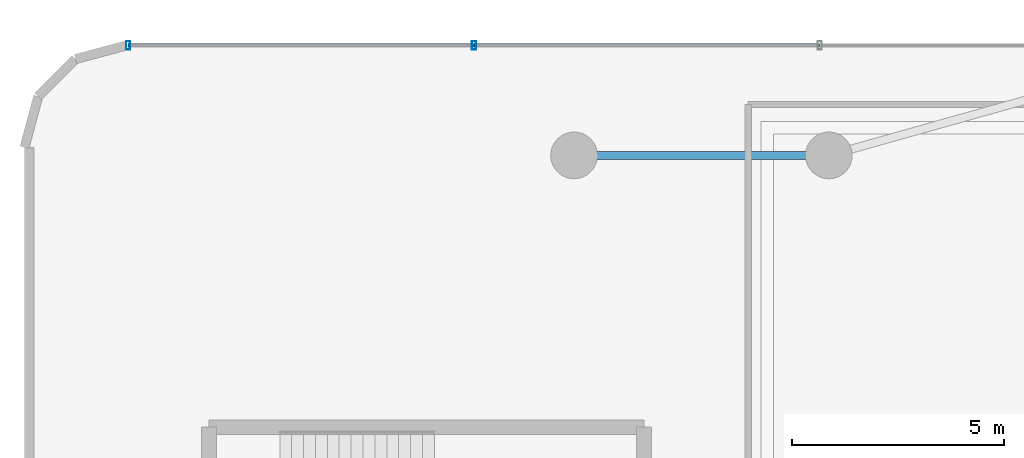
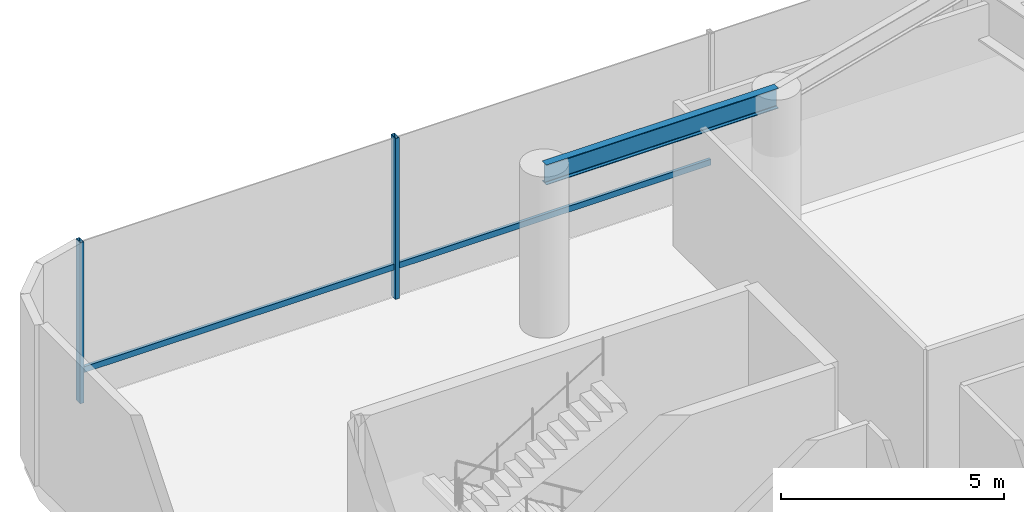
# One storey, part 8 of 22: 4 members, 1 beam, 1 element without a shape of its own.
"""IFC4 building model written with IfcOpenShell, lengths in metres."""

from ifc_helpers import new_model, si_unit, direction, frame, origin, origin_2d, place, context, subcontext, project, spatial, hollow_rectangle, i_section, extrude, source, transform, mapped, material, material_profile, profile_set, type_object, element, aggregate, save


model = new_model("IFC4")

# Units and contexts
model_context = context("Model", 3, precision=1e-05, world=origin(), true_north=direction((0.0, 1.0)))
body_context = subcontext(model_context, "Body", "Model", "MODEL_VIEW")
ifc_project = project(units=[si_unit("LENGTHUNIT", "METRE"), si_unit("AREAUNIT", "SQUARE_METRE"), si_unit("VOLUMEUNIT", "CUBIC_METRE"), si_unit("PLANEANGLEUNIT", "RADIAN"), si_unit("MASSUNIT", "GRAM", prefix="KILO")], contexts=[model_context])

# Site, building, storey
site_placement = place(None, origin())
site = spatial("IfcSite", under=ifc_project, at=site_placement, CompositionType="ELEMENT")
building_placement = place(site_placement, origin())
building = spatial("IfcBuilding", under=site, at=building_placement, Name="Sahyath Konkavel Grand Hotel", CompositionType="ELEMENT")
storey_placement = place(building_placement, frame((0.0, 0.0, 9.300048828125)))
storey = spatial("IfcBuildingStorey", under=building, at=storey_placement, Name="L02", CompositionType="ELEMENT", Elevation=9.300048828125)

# Beam
ifc_material_1 = material(Name="Steel E350", Category="steel")
ifc_material_profile_1 = material_profile(ifc_material_1, i_section(OverallWidth=0.18994140625, OverallDepth=0.550048828125, WebThickness=0.01123046875, FlangeThickness=0.019287109375, FilletRadius=0.01806640625, at=origin_2d()), Name="ISMB 550")
ifc_profile_set_1 = profile_set([ifc_material_profile_1], Name="Steel E350")
beam_type = type_object("IfcBeamType", Name="BM-ISMB550", PredefinedType="BEAM", material=ifc_profile_set_1)
shared_shape_1 = source(origin(), body_context, "Body", "SweptSolid", [
    extrude(i_section(OverallWidth=0.18994140625, OverallDepth=0.550048828125, WebThickness=0.01123046875, FlangeThickness=0.019287109375, FilletRadius=0.01806640625, at=origin_2d()), origin(), (0.0, 0.0, 1.0), 6.0),
])
beam_placement = place(storey_placement, frame((-18.0, 20.5, 4.125), z_axis=(1.0, 0.0, 0.0), x_axis=(0.0, 1.0, 0.0)))
element("IfcBeam", 1, at=beam_placement, inside=storey, type_object=beam_type, Name="str:bm:L02:POD-01", PredefinedType="BEAM", context=body_context, shape_type="MappedRepresentation", body=[
    mapped(shared_shape_1, transform((0.0, 0.0, 0.0), scale=1.0)),
])

# Curtain wall, members
ifc_material_2 = material(Name="Anodised Bronze Aluminium & Low-E Glazing", Category="aluminium")
curtain_wall_type = type_object("IfcCurtainWallType", Name="CW-PODIUM", PredefinedType="NOTDEFINED", material=ifc_material_2)
curtain_wall_placement = place(storey_placement, origin())
curtain_wall = element("IfcCurtainWall", 2, at=curtain_wall_placement, inside=storey, type_object=curtain_wall_type, Name="L02 Unitised Curtain Wall N", PredefinedType="NOTDEFINED")
ifc_material_3 = material(Name="Anodised Bronze Aluminium", Category="aluminium")
ifc_material_profile_2 = material_profile(ifc_material_3, hollow_rectangle(XDim=0.10009765625, YDim=0.199951171875, WallThickness=0.008056640625, at=origin_2d()), Name="RHS 200x100x8")
ifc_profile_set_2 = profile_set([ifc_material_profile_2], Name="Anodised Bronze Aluminium")
member_type_1 = type_object("IfcMemberType", Name="CW-MUL-200", PredefinedType="MULLION", material=ifc_profile_set_2)
shared_shape_2 = source(origin(), body_context, "Body", "SweptSolid", [
    extrude(hollow_rectangle(XDim=0.10009765625, YDim=0.199951171875, WallThickness=0.008056640625, at=origin_2d()), origin(), (0.0, 0.0, 1.0), 4.39990234375),
])
member_1_placement = place(storey_placement, frame((-20.35791015625, 23.092041015625, 0.0), z_axis=(0.0, 0.0, 1.0), x_axis=(1.0, 0.0, 0.0)))
member_1 = element("IfcMember", 3, at=member_1_placement, type_object=member_type_1, Name="L02 Curtain Wall Mullion N-6", PredefinedType="MULLION", context=body_context, shape_type="MappedRepresentation", body=[
    mapped(shared_shape_2, transform((0.0, 0.0, 0.0), scale=1.0)),
])
member_2_placement = place(storey_placement, frame((-28.5009765625, 23.092041015625, 0.0), z_axis=(0.0, 0.0, 1.0), x_axis=(1.0, 0.0, 0.0)))
member_2 = element("IfcMember", 4, at=member_2_placement, type_object=member_type_1, Name="L02 Curtain Wall Mullion N-7", PredefinedType="MULLION", context=body_context, shape_type="MappedRepresentation", body=[
    mapped(shared_shape_2, transform((0.0, 0.0, 0.0), scale=1.0)),
])
ifc_material_profile_3 = material_profile(ifc_material_3, hollow_rectangle(XDim=0.080078125, YDim=0.159912109375, WallThickness=0.006103515625, at=origin_2d()), Name="RHS 160x80x6")
ifc_profile_set_3 = profile_set([ifc_material_profile_3], Name="Anodised Bronze Aluminium")
member_type_2 = type_object("IfcMemberType", Name="CW-TRN-160", PredefinedType="USERDEFINED", material=ifc_profile_set_3)
shared_shape_3 = source(origin(), body_context, "Body", "SweptSolid", [
    extrude(hollow_rectangle(XDim=0.080078125, YDim=0.159912109375, WallThickness=0.006103515625, at=origin_2d()), origin(), (0.0, 0.0, 1.0), 8.14306640625),
])
member_3_placement = place(storey_placement, frame((-20.35791015625, 23.092041015625, 0.849853515625), z_axis=(-1.0, 0.0, 0.0), x_axis=(0.0, -1.0, 0.0)))
member_3 = element("IfcMember", 5, at=member_3_placement, type_object=member_type_2, Name="L02 Curtain Wall Transom N-6-spandrel", ObjectType="TRANSOM", PredefinedType="USERDEFINED", context=body_context, shape_type="MappedRepresentation", body=[
    mapped(shared_shape_3, transform((0.0, 0.0, 0.0), scale=1.0)),
])
shared_shape_4 = source(origin(), body_context, "Body", "SweptSolid", [
    extrude(hollow_rectangle(XDim=0.080078125, YDim=0.159912109375, WallThickness=0.006103515625, at=origin_2d()), origin(), (0.0, 0.0, 1.0), 8.143310546875),
])
member_4_placement = place(storey_placement, frame((-12.214599609375, 23.092041015625, 0.849853515625), z_axis=(-1.0, 0.0, 0.0), x_axis=(0.0, -1.0, 0.0)))
member_4 = element("IfcMember", 6, at=member_4_placement, type_object=member_type_2, Name="L02 Curtain Wall Transom N-5-spandrel", ObjectType="TRANSOM", PredefinedType="USERDEFINED", context=body_context, shape_type="MappedRepresentation", body=[
    mapped(shared_shape_4, transform((0.0, 0.0, 0.0), scale=1.0)),
])
aggregate(curtain_wall, [member_1, member_2, member_4, member_3])

save(model, "model.ifc")
